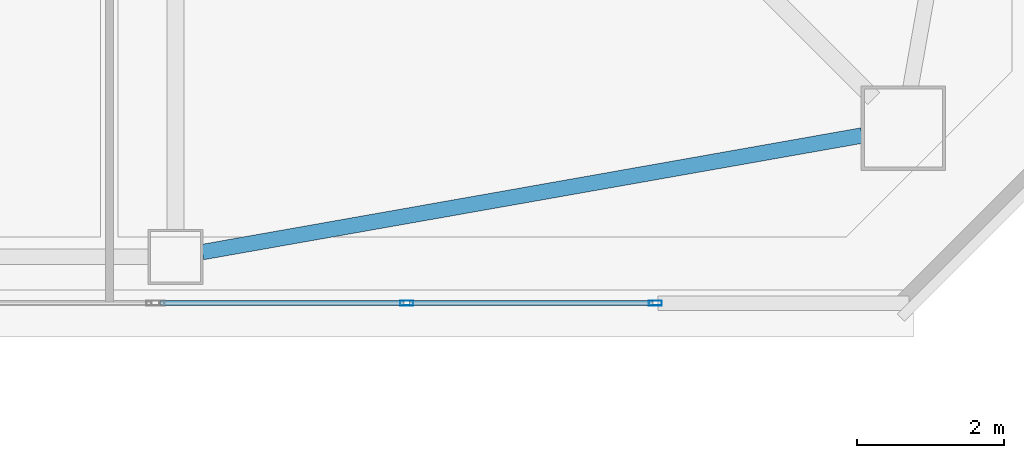
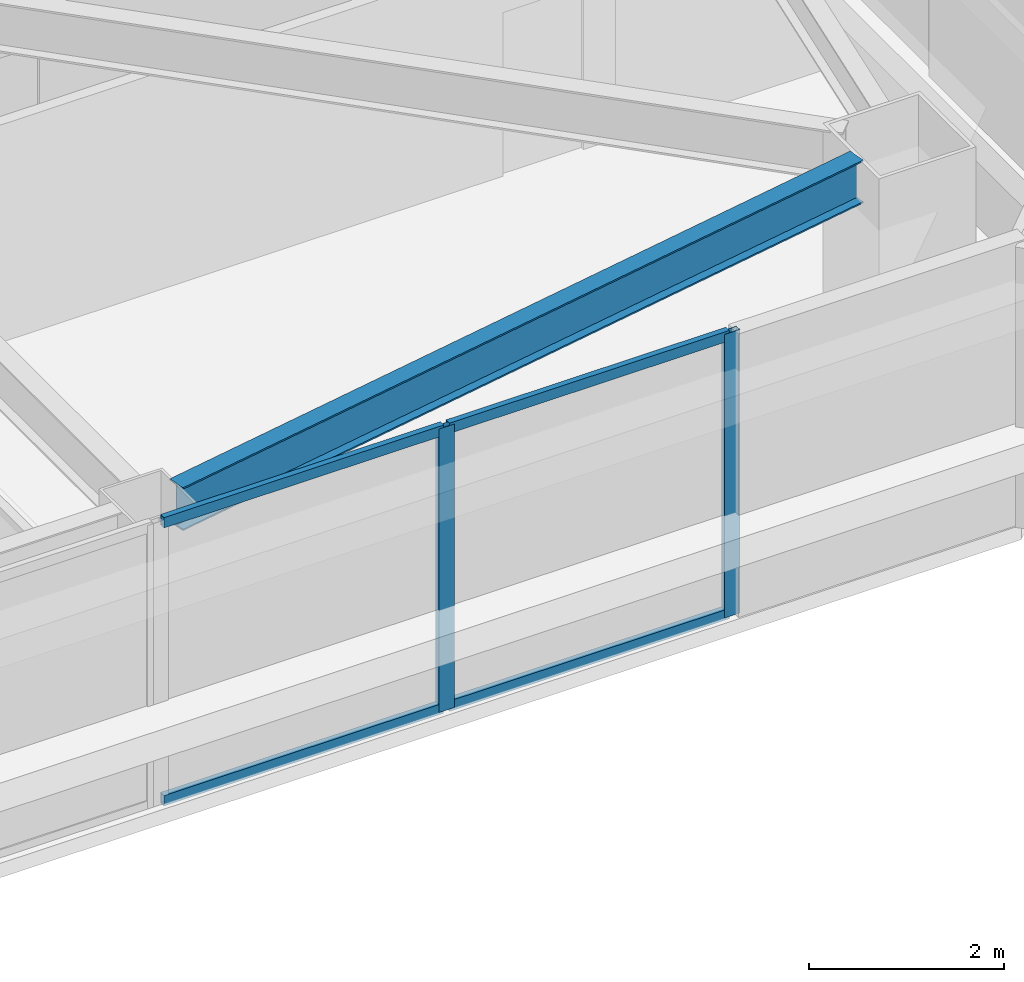
# One storey, part 6 of 43: 6 members, 1 beam, 1 element without a shape of its own.
"""IFC4 building model written with IfcOpenShell, lengths in metres."""

import ifcopenshell
import ifcopenshell.guid

model = None  # the IFC model being written
_history = None  # IfcOwnerHistory: only IFC2X3 demands one
_inside = {}  # id of a spatial element -> (the spatial element, [elements in it])
_under = {}  # id of a project, library or spatial element -> (it, [spatial elements below it])
_declared = {}  # id of a project -> (the project, [libraries it declares])
_typed = {}  # id of a type object -> (the type object, [elements of that type])
_made_of = {}  # id of a material, layer set ... -> (it, [elements and type objects made of it])


def new_model(schema):
    """Start an empty IFC model of exactly this schema.

    Asked for "IFC4X3", IfcOpenShell would pick the latest addendum, in which some entities
    have other attributes; the version numbers below select the first issue.
    IFC2X3 requires an IfcOwnerHistory on every rooted entity: one is made here for all.
    """
    global model, _history
    if schema == "IFC4X3":
        model = ifcopenshell.file(schema_version=(4, 3, 0, 0))
    else:
        model = ifcopenshell.file(schema=schema)
    _inside.clear()
    _under.clear()
    _declared.clear()
    _typed.clear()
    _made_of.clear()
    _history = None
    if model.schema == "IFC2X3":
        org = make("IfcOrganization", Name="unknown")
        user = make(
            "IfcPersonAndOrganization",
            ThePerson=make("IfcPerson", FamilyName="unknown"),
            TheOrganization=org,
        )
        app = make(
            "IfcApplication",
            ApplicationDeveloper=org,
            Version="unknown",
            ApplicationFullName="unknown",
            ApplicationIdentifier="unknown",
        )
        _history = make(
            "IfcOwnerHistory",
            OwningUser=user,
            OwningApplication=app,
            ChangeAction="ADDED",
            CreationDate=0,
        )
    return model


def make(cls, **values):
    """One entity of the class cls with the attributes given. An attribute that is None is left unset."""
    return model.create_entity(
        cls, **{name: value for name, value in values.items() if value is not None}
    )


def rooted(cls, **values):
    """An entity with a GlobalId (a new one), such as an element, a storey or a relation."""
    return make(cls, GlobalId=ifcopenshell.guid.new(), OwnerHistory=_history, **values)


def si_unit(unit_type, name, prefix=None):
    """IfcSIUnit, for example si_unit("LENGTHUNIT", "METRE", prefix="MILLI")."""
    return make("IfcSIUnit", UnitType=unit_type, Prefix=prefix, Name=name)


def assignment(units):
    """IfcUnitAssignment: the units of a project."""
    return None if units is None else make("IfcUnitAssignment", Units=units)


def point(xyz):
    """IfcCartesianPoint."""
    return None if xyz is None else make("IfcCartesianPoint", Coordinates=xyz)


def direction(xyz):
    """IfcDirection."""
    return None if xyz is None else make("IfcDirection", DirectionRatios=xyz)


def frame(location, z_axis=None, x_axis=None):
    """IfcAxis2Placement3D, a coordinate frame: its origin and axes. An axis left out is left unset."""
    return make(
        "IfcAxis2Placement3D",
        Location=point(location),
        Axis=direction(z_axis),
        RefDirection=direction(x_axis),
    )


def frame_2d(location, x_axis=None):
    """IfcAxis2Placement2D, a coordinate frame in the plane: its origin and x axis."""
    return make(
        "IfcAxis2Placement2D", Location=point(location), RefDirection=direction(x_axis)
    )


def origin():
    """The frame at (0, 0, 0) with its axes left unset."""
    return frame((0.0, 0.0, 0.0))


def origin_2d():
    """The frame at (0, 0) in the plane with its x axis left unset."""
    return frame_2d((0.0, 0.0))


def place(relative_to, where):
    """IfcLocalPlacement: puts the frame where relative to a parent placement (None: the world)."""
    return make(
        "IfcLocalPlacement", PlacementRelTo=relative_to, RelativePlacement=where
    )


def context(
    kind, dimensions, precision=None, world=None, true_north=None, identifier=None
):
    """IfcGeometricRepresentationContext, for example the 3D "Model" context."""
    return make(
        "IfcGeometricRepresentationContext",
        ContextIdentifier=identifier,
        ContextType=kind,
        CoordinateSpaceDimension=dimensions,
        Precision=precision,
        WorldCoordinateSystem=world,
        TrueNorth=true_north,
    )


def subcontext(parent, identifier, kind, view, scale=None):
    """IfcGeometricRepresentationSubContext, for example "Body" below "Model"."""
    return make(
        "IfcGeometricRepresentationSubContext",
        ContextIdentifier=identifier,
        ContextType=kind,
        ParentContext=parent,
        TargetScale=scale,
        TargetView=view,
    )


def project(units=None, contexts=None):
    """IfcProject with its units and contexts."""
    return rooted(
        "IfcProject",
        Name="project",
        RepresentationContexts=contexts,
        UnitsInContext=assignment(units),
    )


def spatial(cls, under=None, at=None, **own):
    """A site, building, storey or space (cls), placed at a placement, below another one or the project."""
    s = rooted(cls, ObjectPlacement=at, **own)
    if under is not None:
        _under.setdefault(under.id(), (under, []))[1].append(s)
    return s


def profile(cls, at=None, kind="AREA", **sizes):
    """A parametric profile (cls). Its sizes go by their IFC names, for example OverallWidth=200.0."""
    return make(cls, ProfileType=kind, Position=at, **sizes)


def hollow_rectangle(**sizes):
    """IfcRectangleHollowProfileDef."""
    return profile("IfcRectangleHollowProfileDef", **sizes)


def i_section(**sizes):
    """IfcIShapeProfileDef."""
    return profile("IfcIShapeProfileDef", **sizes)


def extrude(swept, where, along, depth):
    """IfcExtrudedAreaSolid: the profile swept, set in the frame where, extruded along a direction by depth."""
    return make(
        "IfcExtrudedAreaSolid",
        SweptArea=swept,
        Position=where,
        ExtrudedDirection=direction(along),
        Depth=depth,
    )


def shape(context_of_items, identifier, shape_type, items):
    """IfcShapeRepresentation: the items that make up one representation, for example the "Body"."""
    return make(
        "IfcShapeRepresentation",
        ContextOfItems=context_of_items,
        RepresentationIdentifier=identifier,
        RepresentationType=shape_type,
        Items=items,
    )


def material(Name=None, Category=None):
    """IfcMaterial."""
    return make("IfcMaterial", Name=Name, Category=Category)


def material_profile(
    of_material, cross_section, Name=None, Category=None, Priority=None
):
    """IfcMaterialProfile: a cross section and its material."""
    return make(
        "IfcMaterialProfile",
        Name=Name,
        Material=of_material,
        Profile=cross_section,
        Priority=Priority,
        Category=Category,
    )


def profile_set(profiles, Name=None, composite=None):
    """IfcMaterialProfileSet."""
    return make(
        "IfcMaterialProfileSet",
        Name=Name,
        MaterialProfiles=profiles,
        CompositeProfile=composite,
    )


def made_of(thing, what):
    """Note that an element or type object is made of a material, layer set ...; save() writes the relation."""
    if what is not None:
        _made_of.setdefault(what.id(), (what, []))[1].append(thing)
    return thing


def type_object(cls, material=None, **own):
    """A type object (cls), such as IfcWallType, which elements share."""
    return made_of(rooted(cls, **own), material)


def element(
    cls,
    number,
    at=None,
    inside=None,
    cuts=None,
    type_object=None,
    material=None,
    context=None,
    identifier="Body",
    shape_type=None,
    held_by="IfcProductDefinitionShape",
    body=None,
    shapes=None,
    **own,
):
    """One element of the class cls, such as IfcWall. Its Tag is "e" and its number.

    at: its placement. inside: the storey or other place that contains it. cuts: it is an
    opening in that element (IfcRelVoidsElement). A single representation is given by context,
    identifier, shape_type and body (its items); several are given by shapes. held_by: the class
    of the entity that holds the representations. save() writes the other relations.
    """
    e = rooted(cls, Tag="e%d" % number, ObjectPlacement=at, **own)
    if body is not None:
        shapes = [shape(context, identifier, shape_type, body)]
    if shapes is not None:
        e.Representation = make(held_by, Representations=shapes)
    if inside is not None:
        _inside.setdefault(inside.id(), (inside, []))[1].append(e)
    if cuts is not None:
        rooted(
            "IfcRelVoidsElement", RelatingBuildingElement=cuts, RelatedOpeningElement=e
        )
    if type_object is not None:
        _typed.setdefault(type_object.id(), (type_object, []))[1].append(e)
    return made_of(e, material)


def aggregate(whole, parts):
    """IfcRelAggregates: a whole, such as a stair, and the parts it consists of."""
    return rooted("IfcRelAggregates", RelatingObject=whole, RelatedObjects=parts)


def save(model, path):
    """Write the relations noted so far, then the file.

    IfcRelAggregates (storeys below a building ...), IfcRelContainedInSpatialStructure (elements
    in a storey), IfcRelDefinesByType, IfcRelAssociatesMaterial and IfcRelDeclares: one each for
    every whole, place, type object, material and project.
    """
    for whole, parts in _under.values():
        aggregate(whole, parts)
    for where, things in _inside.values():
        rooted(
            "IfcRelContainedInSpatialStructure",
            RelatedElements=things,
            RelatingStructure=where,
        )
    for kind, things in _typed.values():
        rooted("IfcRelDefinesByType", RelatedObjects=things, RelatingType=kind)
    for what, things in _made_of.values():
        rooted("IfcRelAssociatesMaterial", RelatedObjects=things, RelatingMaterial=what)
    for by, libraries in _declared.values():
        rooted("IfcRelDeclares", RelatingContext=by, RelatedDefinitions=libraries)
    model.write(path)


model = new_model("IFC4")

# Units and contexts
model_context = context("Model", 3, precision=1e-05, world=origin(), true_north=direction((0.0, 1.0)))
body_context = subcontext(model_context, "Body", "Model", "MODEL_VIEW")
ifc_project = project(units=[si_unit("LENGTHUNIT", "METRE"), si_unit("AREAUNIT", "SQUARE_METRE"), si_unit("VOLUMEUNIT", "CUBIC_METRE"), si_unit("PLANEANGLEUNIT", "RADIAN"), si_unit("MASSUNIT", "GRAM", prefix="KILO")], contexts=[model_context])

# Site, building, storey
site_placement = place(None, origin())
site = spatial("IfcSite", under=ifc_project, at=site_placement, CompositionType="ELEMENT")
building_placement = place(site_placement, origin())
building = spatial("IfcBuilding", under=site, at=building_placement, Name="Tashvorn Skyway Center", CompositionType="ELEMENT")
storey_placement = place(building_placement, frame((0.0, 0.0, 160.550048828125)))
storey = spatial("IfcBuildingStorey", under=building, at=storey_placement, Name="L43", CompositionType="ELEMENT", Elevation=160.550048828125)

# Beam
ifc_material_1 = material(Name="Steel ASTM A992 Grade 50", Category="steel")
ifc_material_profile_1 = material_profile(ifc_material_1, i_section(OverallWidth=0.2109375, OverallDepth=0.5390625, WebThickness=0.01171875, FlangeThickness=0.018798828125, at=origin_2d()), Name="W21X73")
ifc_profile_set_1 = profile_set([ifc_material_profile_1], Name="Steel ASTM A992 Grade 50")
beam_type = type_object("IfcBeamType", Name="BM-SPANDREL-W21X73", PredefinedType="SPANDREL", material=ifc_profile_set_1)
beam_placement = place(storey_placement, frame((47.764404296875, 15.014404296875, 3.100341796875), z_axis=(0.984732545667, 0.174074160933, 0.0), x_axis=(-0.174074160933, 0.984732545667, 0.0)))
element("IfcBeam", 1, at=beam_placement, inside=storey, type_object=beam_type, Name="Tower 1 L43 Spandrel Beam 03", PredefinedType="SPANDREL", context=body_context, shape_type="SweptSolid", body=[
    extrude(i_section(OverallWidth=0.2109375, OverallDepth=0.5390625, WebThickness=0.01171875, FlangeThickness=0.018798828125, at=origin_2d()), origin(), (0.0, 0.0, 1.0), 9.113525390625),
])

# Curtain wall, members
ifc_material_2 = material(Name="Thermally broken bronze-anodized aluminium 6063-T6", Category="aluminium")
curtain_wall_type = type_object("IfcCurtainWallType", Name="CW-CW-Z4", PredefinedType="NOTDEFINED", material=ifc_material_2)
curtain_wall_placement = place(storey_placement, origin())
curtain_wall = element("IfcCurtainWall", 2, at=curtain_wall_placement, inside=storey, type_object=curtain_wall_type, Name="Tower 1 L43 South Unitised Curtain Wall Glazing Group 1", PredefinedType="NOTDEFINED")
ifc_material_profile_2 = material_profile(ifc_material_2, hollow_rectangle(XDim=0.070068359375, YDim=0.179931640625, WallThickness=0.00390625, at=origin_2d()), Name="ALU-MULL-70x180")
ifc_profile_set_2 = profile_set([ifc_material_profile_2], Name="Thermally broken bronze-anodized aluminium 6063-T6")
member_type_1 = type_object("IfcMemberType", Name="CWM-CW-Z4", PredefinedType="MULLION", material=ifc_profile_set_2)
member_1_placement = place(storey_placement, frame((53.92724609375, 14.320068359375, 0.0), z_axis=(0.0, 0.0, 1.0), x_axis=(0.0, -1.0, 0.0)))
member_1 = element("IfcMember", 3, at=member_1_placement, type_object=member_type_1, Name="CW-Z4 mullion 1", PredefinedType="MULLION", context=body_context, shape_type="SweptSolid", body=[
    extrude(hollow_rectangle(XDim=0.070068359375, YDim=0.179931640625, WallThickness=0.00390625, at=origin_2d()), origin(), (0.0, 0.0, 1.0), 3.550048828125),
])
member_2_placement = place(storey_placement, frame((50.54443359375, 14.320068359375, 0.0), z_axis=(0.0, 0.0, 1.0), x_axis=(0.0, -1.0, 0.0)))
member_2 = element("IfcMember", 4, at=member_2_placement, type_object=member_type_1, Name="CW-Z4 mullion 2", PredefinedType="MULLION", context=body_context, shape_type="SweptSolid", body=[
    extrude(hollow_rectangle(XDim=0.070068359375, YDim=0.179931640625, WallThickness=0.00390625, at=origin_2d()), origin(), (0.0, 0.0, 1.0), 3.550048828125),
])
ifc_material_profile_3 = material_profile(ifc_material_2, hollow_rectangle(XDim=0.070068359375, YDim=0.1298828125, WallThickness=0.00390625, at=origin_2d()), Name="ALU-TRAN-70x130")
ifc_profile_set_3 = profile_set([ifc_material_profile_3], Name="Thermally broken bronze-anodized aluminium 6063-T6")
member_type_2 = type_object("IfcMemberType", Name="CWT-CW-Z4", PredefinedType="USERDEFINED", material=ifc_profile_set_3)
member_3_placement = place(storey_placement, frame((53.89208984375, 14.320068359375, 0.034912109375), z_axis=(-1.0, 0.0, 0.0), x_axis=(0.0, -1.0, 0.0)))
member_3 = element("IfcMember", 5, at=member_3_placement, type_object=member_type_2, Name="CW-Z4 transom 1.1", ObjectType="TRANSOM", PredefinedType="USERDEFINED", context=body_context, shape_type="SweptSolid", body=[
    extrude(hollow_rectangle(XDim=0.070068359375, YDim=0.1298828125, WallThickness=0.00390625, at=origin_2d()), origin(), (0.0, 0.0, 1.0), 3.312744140625),
])
member_4_placement = place(storey_placement, frame((53.89208984375, 14.320068359375, 3.514892578125), z_axis=(-1.0, 0.0, 0.0), x_axis=(0.0, -1.0, 0.0)))
member_4 = element("IfcMember", 6, at=member_4_placement, type_object=member_type_2, Name="CW-Z4 transom 1.2", ObjectType="TRANSOM", PredefinedType="USERDEFINED", context=body_context, shape_type="SweptSolid", body=[
    extrude(hollow_rectangle(XDim=0.070068359375, YDim=0.1298828125, WallThickness=0.00390625, at=origin_2d()), origin(), (0.0, 0.0, 1.0), 3.312744140625),
])
member_5_placement = place(storey_placement, frame((50.509521484375, 14.320068359375, 0.034912109375), z_axis=(-1.0, 0.0, 0.0), x_axis=(0.0, -1.0, 0.0)))
member_5 = element("IfcMember", 7, at=member_5_placement, type_object=member_type_2, Name="CW-Z4 transom 2.1", ObjectType="TRANSOM", PredefinedType="USERDEFINED", context=body_context, shape_type="SweptSolid", body=[
    extrude(hollow_rectangle(XDim=0.070068359375, YDim=0.1298828125, WallThickness=0.00390625, at=origin_2d()), origin(), (0.0, 0.0, 1.0), 3.312744140625),
])
member_6_placement = place(storey_placement, frame((50.509521484375, 14.320068359375, 3.514892578125), z_axis=(-1.0, 0.0, 0.0), x_axis=(0.0, -1.0, 0.0)))
member_6 = element("IfcMember", 8, at=member_6_placement, type_object=member_type_2, Name="CW-Z4 transom 2.2", ObjectType="TRANSOM", PredefinedType="USERDEFINED", context=body_context, shape_type="SweptSolid", body=[
    extrude(hollow_rectangle(XDim=0.070068359375, YDim=0.1298828125, WallThickness=0.00390625, at=origin_2d()), origin(), (0.0, 0.0, 1.0), 3.312744140625),
])
aggregate(curtain_wall, [member_1, member_2, member_3, member_4, member_5, member_6])

save(model, "model.ifc")
